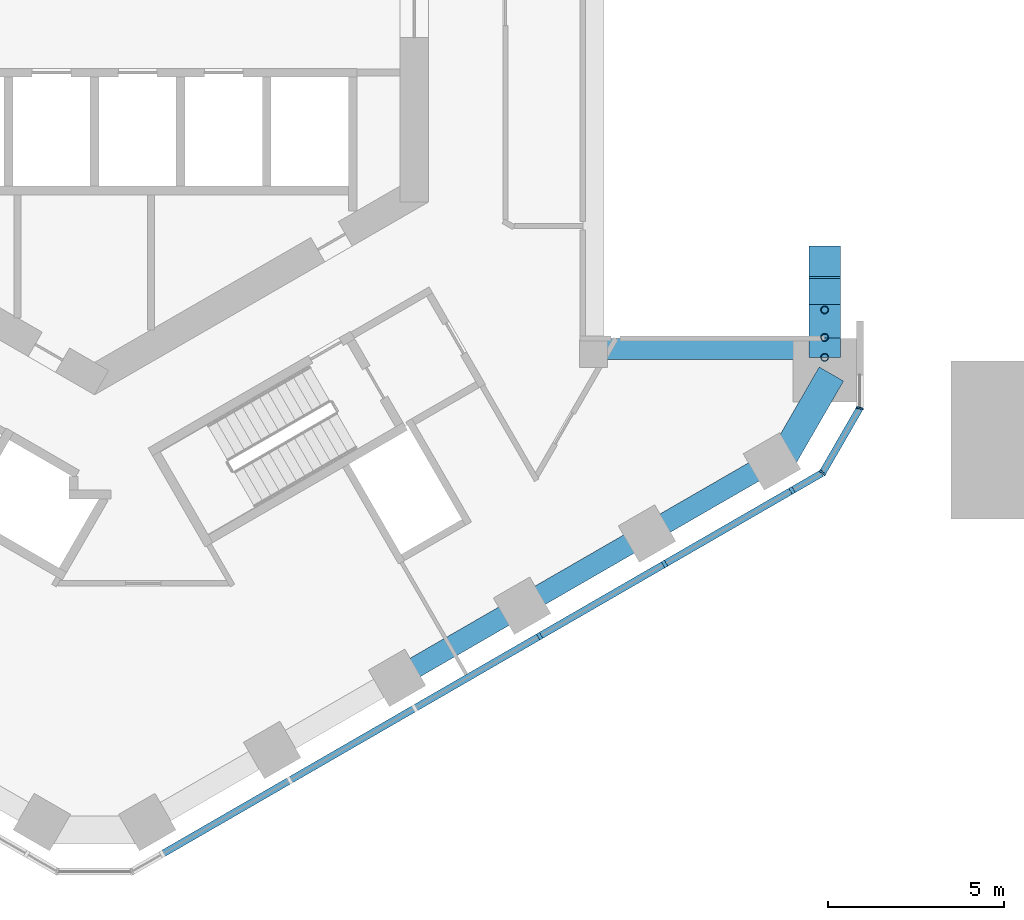
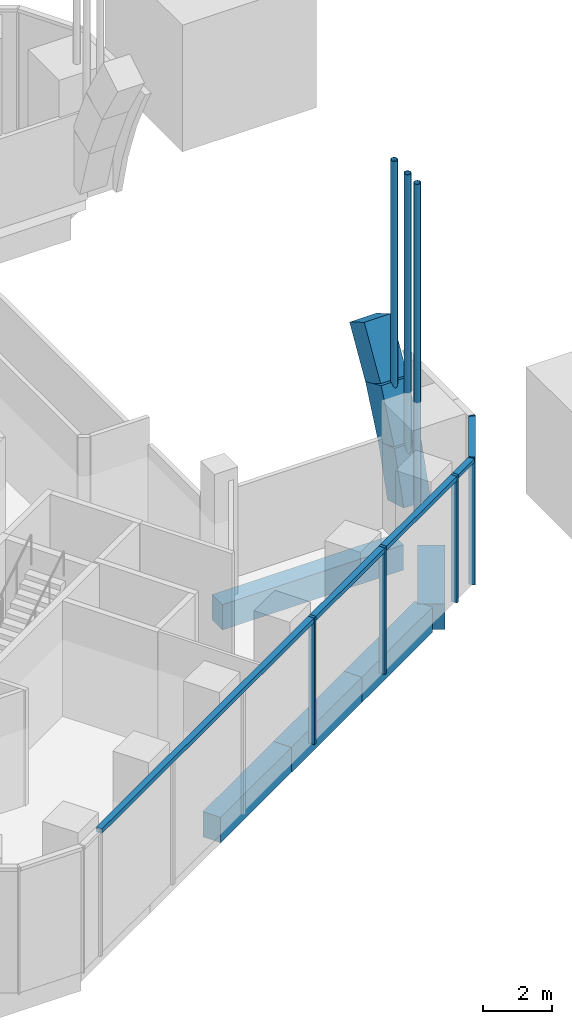
# One storey, part 4 of 14: 11 members, 8 beams, 2 elements without a shape of their own.
"""IFC4 building model written with IfcOpenShell, lengths in metres."""

from ifc_helpers import new_model, si_unit, direction, frame, origin, origin_2d, place, context, subcontext, project, spatial, rectangle, hollow_circle, extrude, material, layer, layer_set, material_profile, profile_set, type_object, element, aggregate, save


model = new_model("IFC4")

# Units and contexts
model_context = context("Model", 3, precision=1e-05, world=origin(), true_north=direction((0.0, 1.0)))
body_context = subcontext(model_context, "Body", "Model", "MODEL_VIEW")
ifc_project = project(units=[si_unit("LENGTHUNIT", "METRE"), si_unit("AREAUNIT", "SQUARE_METRE"), si_unit("VOLUMEUNIT", "CUBIC_METRE"), si_unit("PLANEANGLEUNIT", "RADIAN"), si_unit("MASSUNIT", "GRAM", prefix="KILO")], contexts=[model_context])

# Site, building, storey
site_placement = place(None, origin())
site = spatial("IfcSite", under=ifc_project, at=site_placement, CompositionType="ELEMENT")
building_placement = place(site_placement, origin())
building = spatial("IfcBuilding", under=site, at=building_placement, Name="Ayvan Gate Tower", CompositionType="ELEMENT")
storey_placement = place(building_placement, frame((0.0, 0.0, 7.0)))
storey = spatial("IfcBuildingStorey", under=building, at=storey_placement, Name="L01", CompositionType="ELEMENT", Elevation=7.0)

# Beams
ifc_material_1 = material(Name="Concrete C60/75", Category="concrete")
ifc_material_profile_1 = material_profile(ifc_material_1, rectangle(XDim=0.89990234375, YDim=1.0, at=origin_2d()), Name="RC 900x1000")
ifc_profile_set_1 = profile_set([ifc_material_profile_1], Name="Concrete C60/75")
beam_type_1 = type_object("IfcBeamType", Name="Arch rib RC 900x1000 C60/75", PredefinedType="BEAM", material=ifc_profile_set_1)
for number, where, z_axis, x_axis, name in (
    (1, (20.78466796875, -9.425048828125, 0.6962890625), (0.0, 0.293791434836, 0.955869548012), (-1.0, 0.0, 0.0), "AR-0-3"),
    (2, (20.78466796875, -8.877197265625, 2.478759765625), (0.0, 0.405360834835, 0.914156766415), (-1.0, 0.0, 0.0), "AR-0-4"),
    (3, (20.78466796875, -8.121337890625, 4.183349609375), (0.0, 0.511276682663, 0.859416170295), (-1.0, 0.0, 0.0), "AR-0-5"),
):
    element("IfcBeam", number, at=place(storey_placement, frame(where, z_axis=z_axis, x_axis=x_axis)), inside=storey, type_object=beam_type_1, Name=name, PredefinedType="BEAM", context=body_context, shape_type="SweptSolid", body=[
        extrude(rectangle(XDim=0.89990234375, YDim=1.0, at=origin_2d()), origin(), (0.0, 0.0, 1.0), 1.86474609375),
    ])

# Members
ifc_material_2 = material(Name="Steel S460NH", Category="steel")
ifc_material_profile_2 = material_profile(ifc_material_2, hollow_circle(Radius=0.109619140625, WallThickness=0.012451171875, at=origin_2d()), Name="CHS 219.1x12.5")
ifc_profile_set_2 = profile_set([ifc_material_profile_2], Name="Steel S460NH")
member_type_1 = type_object("IfcMemberType", Name="Arch rib hanger CHS 219.1x12.5", PredefinedType="STRUT", material=ifc_profile_set_2)
member_1_placement = place(storey_placement, frame((20.78466796875, -9.903076171875, 0.549560546875), z_axis=(0.0, 0.0, 1.0), x_axis=(1.0, 0.0, 0.0)))
element("IfcMember", 4, at=member_1_placement, inside=storey, type_object=member_type_1, Name="ARH-0-3", PredefinedType="STRUT", context=body_context, shape_type="SweptSolid", body=[
    extrude(hollow_circle(Radius=0.109619140625, WallThickness=0.012451171875, at=origin_2d()), origin(), (0.0, 0.0, 1.0), 11.700439453125),
])
member_2_placement = place(storey_placement, frame((20.78466796875, -9.33447265625, 2.276123046875), z_axis=(0.0, 0.0, 1.0), x_axis=(1.0, 0.0, 0.0)))
element("IfcMember", 5, at=member_2_placement, inside=storey, type_object=member_type_1, Name="ARH-0-4", PredefinedType="STRUT", context=body_context, shape_type="SweptSolid", body=[
    extrude(hollow_circle(Radius=0.109619140625, WallThickness=0.012451171875, at=origin_2d()), origin(), (0.0, 0.0, 1.0), 9.973876953125),
])
member_3_placement = place(storey_placement, frame((20.78466796875, -8.551025390625, 3.927734375), z_axis=(0.0, 0.0, 1.0), x_axis=(1.0, 0.0, 0.0)))
element("IfcMember", 6, at=member_3_placement, inside=storey, type_object=member_type_1, Name="ARH-0-5", PredefinedType="STRUT", context=body_context, shape_type="SweptSolid", body=[
    extrude(hollow_circle(Radius=0.109619140625, WallThickness=0.012451171875, at=origin_2d()), origin(), (0.0, 0.0, 1.0), 8.322265625),
])

# Beams
ifc_material_3 = material(Name="Concrete C40/50", Category="concrete")
ifc_material_profile_3 = material_profile(ifc_material_3, rectangle(XDim=0.800048828125, YDim=0.89990234375, at=origin_2d()), Name="RC 800x900")
ifc_profile_set_3 = profile_set([ifc_material_profile_3], Name="Concrete C40/50")
beam_type_2 = type_object("IfcBeamType", Name="Corner spandrel beam RC 800x900 C40/50", PredefinedType="BEAM", material=ifc_profile_set_3)
beam_1_placement = place(storey_placement, frame((19.47509765625, -12.97607421875, -0.85009765625), z_axis=(0.499990139034, 0.866031096941, 0.0), x_axis=(-0.866031096941, 0.499990139034, 0.0)))
element("IfcBeam", 7, at=beam_1_placement, inside=storey, type_object=beam_type_2, Name="SB-L01-36", PredefinedType="BEAM", context=body_context, shape_type="SweptSolid", body=[
    extrude(rectangle(XDim=0.800048828125, YDim=0.89990234375, at=origin_2d()), origin(), (0.0, 0.0, 1.0), 3.0),
])
ifc_material_profile_4 = material_profile(ifc_material_3, rectangle(XDim=0.60009765625, YDim=0.89990234375, at=origin_2d()), Name="RC 600x900")
ifc_profile_set_4 = profile_set([ifc_material_profile_4], Name="Concrete C40/50")
beam_type_3 = type_object("IfcBeamType", Name="Opening edge beam RC 600x900 C40/50", PredefinedType="BEAM", material=ifc_profile_set_4)
beam_2_placement = place(storey_placement, frame((20.28466796875, -9.66796875, -0.85009765625), z_axis=(-1.0, 0.0, 0.0), x_axis=(0.0, -1.0, 0.0)))
element("IfcBeam", 8, at=beam_2_placement, inside=storey, type_object=beam_type_3, Name="OB-L01-0-A", PredefinedType="BEAM", context=body_context, shape_type="SweptSolid", body=[
    extrude(rectangle(XDim=0.60009765625, YDim=0.89990234375, at=origin_2d()), origin(), (0.0, 0.0, 1.0), 6.084716796875),
])
ifc_material_profile_5 = material_profile(ifc_material_3, rectangle(XDim=0.60009765625, YDim=0.89990234375, at=origin_2d()), Name="RC 600x900")
ifc_profile_set_5 = profile_set([ifc_material_profile_5], Name="Concrete C40/50")
beam_type_4 = type_object("IfcBeamType", Name="Spandrel beam RC 600x900 C40/50", PredefinedType="BEAM", material=ifc_profile_set_5)
for number, where, z_axis, x_axis, name in (
    (9, (8.61376953125, -19.02685546875, -0.85009765625), (0.866010373586, 0.500026032164, 0.0), (-0.500026032164, 0.866010373586, 0.0), "SB-L01-33"),
    (10, (12.170654296875, -16.97314453125, -0.85009765625), (0.866050971923, 0.499955712069, 0.0), (-0.499955712069, 0.866050971923, 0.0), "SB-L01-34"),
    (11, (15.727783203125, -14.919677734375, -0.85009765625), (0.866010373586, 0.500026032164, 0.0), (-0.500026032164, 0.866010373586, 0.0), "SB-L01-35"),
):
    element("IfcBeam", number, at=place(storey_placement, frame(where, z_axis=z_axis, x_axis=x_axis)), inside=storey, type_object=beam_type_4, Name=name, PredefinedType="BEAM", context=body_context, shape_type="SweptSolid", body=[
        extrude(rectangle(XDim=0.60009765625, YDim=0.89990234375, at=origin_2d()), origin(), (0.0, 0.0, 1.0), 4.107177734375),
    ])

# Curtain wall, members
ifc_material_4 = material(Name="Bronze anodised aluminium", Category="aluminium")
ifc_layer_1 = layer(ifc_material_4, 0.199951171875)
ifc_layer_set_1 = layer_set([ifc_layer_1], Name="Bronze anodised aluminium")
curtain_wall_type_1 = type_object("IfcCurtainWallType", Name="Stick curtain wall CW-3", PredefinedType="NOTDEFINED", material=ifc_layer_set_1)
curtain_wall_1_placement = place(storey_placement, origin())
curtain_wall_1 = element("IfcCurtainWall", 12, at=curtain_wall_1_placement, inside=storey, type_object=curtain_wall_type_1, Name="Stick curtain wall CW-3 L01", PredefinedType="NOTDEFINED")
ifc_material_profile_6 = material_profile(ifc_material_4, rectangle(XDim=0.199951171875, YDim=0.10009765625, at=origin_2d()), Name="Stick curtain wall CW-3 mullion 200 x 100")
ifc_profile_set_6 = profile_set([ifc_material_profile_6], Name="Bronze anodised aluminium")
member_type_2 = type_object("IfcMemberType", Name="Stick curtain wall CW-3 mullion 200 x 100", PredefinedType="MULLION", material=ifc_profile_set_6)
member_4_placement = place(storey_placement, frame((12.670654296875, -17.83935546875, 0.0), z_axis=(0.0, 0.0, 1.0), x_axis=(0.5, -0.866025403784, 0.0)))
member_4 = element("IfcMember", 13, at=member_4_placement, type_object=member_type_2, Name="CW-3 mullion 4", PredefinedType="MULLION", context=body_context, shape_type="SweptSolid", body=[
    extrude(rectangle(XDim=0.199951171875, YDim=0.10009765625, at=origin_2d()), origin(), (0.0, 0.0, 1.0), 4.5),
])
member_5_placement = place(storey_placement, frame((16.227294921875, -15.785888671875, 0.0), z_axis=(0.0, 0.0, 1.0), x_axis=(0.5, -0.866025403784, 0.0)))
member_5 = element("IfcMember", 14, at=member_5_placement, type_object=member_type_2, Name="CW-3 mullion 5", PredefinedType="MULLION", context=body_context, shape_type="SweptSolid", body=[
    extrude(rectangle(XDim=0.199951171875, YDim=0.10009765625, at=origin_2d()), origin(), (0.0, 0.0, 1.0), 4.5),
])
member_6_placement = place(storey_placement, frame((19.855224609375, -13.691162109375, 0.0), z_axis=(0.0, 0.0, 1.0), x_axis=(0.5, -0.866025403784, 0.0)))
member_6 = element("IfcMember", 15, at=member_6_placement, type_object=member_type_2, Name="CW-3 mullion 6", PredefinedType="MULLION", context=body_context, shape_type="SweptSolid", body=[
    extrude(rectangle(XDim=0.199951171875, YDim=0.10009765625, at=origin_2d()), origin(), (0.0, 0.0, 1.0), 4.5),
])
ifc_material_profile_7 = material_profile(ifc_material_4, rectangle(XDim=0.199951171875, YDim=0.159912109375, at=origin_2d()), Name="Stick curtain wall CW-3 transom 200 x 160")
ifc_profile_set_7 = profile_set([ifc_material_profile_7], Name="Bronze anodised aluminium")
member_type_3 = type_object("IfcMemberType", Name="Stick curtain wall CW-3 transom 200 x 160", PredefinedType="USERDEFINED", material=ifc_profile_set_7)
member_7_placement = place(storey_placement, frame((1.92919921875, -24.040771484375, 4.419921875), z_axis=(0.866025115303, 0.500000499665, 0.0), x_axis=(-0.500000499665, 0.866025115303, 0.0)))
member_7 = element("IfcMember", 16, at=member_7_placement, type_object=member_type_3, Name="CW-3 transom 1", ObjectType="TRANSOM", PredefinedType="USERDEFINED", context=body_context, shape_type="SweptSolid", body=[
    extrude(rectangle(XDim=0.199951171875, YDim=0.159912109375, at=origin_2d()), origin(), (0.0, 0.0, 1.0), 20.69921875),
])
aggregate(curtain_wall_1, [member_4, member_5, member_6, member_7])

ifc_layer_2 = layer(ifc_material_4, 0.199951171875)
ifc_layer_set_2 = layer_set([ifc_layer_2], Name="Bronze anodised aluminium")
curtain_wall_type_2 = type_object("IfcCurtainWallType", Name="Stick curtain wall CW-6", PredefinedType="NOTDEFINED", material=ifc_layer_set_2)
curtain_wall_2_placement = place(storey_placement, origin())
curtain_wall_2 = element("IfcCurtainWall", 17, at=curtain_wall_2_placement, inside=storey, type_object=curtain_wall_type_2, Name="Stick curtain wall CW-6 L01", PredefinedType="NOTDEFINED")
ifc_material_profile_8 = material_profile(ifc_material_4, rectangle(XDim=0.199951171875, YDim=0.050048828125, at=origin_2d()), Name="Stick curtain wall CW-6 mullion 200 x 50")
ifc_profile_set_8 = profile_set([ifc_material_profile_8], Name="Bronze anodised aluminium")
member_type_4 = type_object("IfcMemberType", Name="Stick curtain wall CW-6 mullion 200 x 50", PredefinedType="MULLION", material=ifc_profile_set_8)
member_8_placement = place(storey_placement, frame((20.721435546875, -13.191162109375, 0.0), z_axis=(0.0, 0.0, 1.0), x_axis=(0.707106781187, -0.707106781187, 0.0)))
member_8 = element("IfcMember", 18, at=member_8_placement, type_object=member_type_4, Name="CW-6 mullion 2", PredefinedType="MULLION", context=body_context, shape_type="SweptSolid", body=[
    extrude(rectangle(XDim=0.199951171875, YDim=0.050048828125, at=origin_2d()), origin(), (0.0, 0.0, 1.0), 4.5),
])
member_9_placement = place(storey_placement, frame((21.78466796875, -11.349609375, 0.0), z_axis=(0.0, 0.0, 1.0), x_axis=(0.965925826289, -0.258819045103, 0.0)))
member_9 = element("IfcMember", 19, at=member_9_placement, type_object=member_type_4, Name="CW-6 mullion 3", PredefinedType="MULLION", context=body_context, shape_type="SweptSolid", body=[
    extrude(rectangle(XDim=0.199951171875, YDim=0.050048828125, at=origin_2d()), origin(), (0.0, 0.0, 1.0), 4.5),
])
ifc_material_profile_9 = material_profile(ifc_material_4, rectangle(XDim=0.199951171875, YDim=0.1201171875, at=origin_2d()), Name="Stick curtain wall CW-6 transom 200 x 120")
ifc_profile_set_9 = profile_set([ifc_material_profile_9], Name="Bronze anodised aluminium")
member_type_5 = type_object("IfcMemberType", Name="Stick curtain wall CW-6 transom 200 x 120", PredefinedType="USERDEFINED", material=ifc_profile_set_9)
member_10_placement = place(storey_placement, frame((19.898681640625, -13.666259765625, 4.43994140625), z_axis=(0.865943820382, 0.500141279983, 0.0), x_axis=(-0.500141279983, 0.865943820382, 0.0)))
member_10 = element("IfcMember", 20, at=member_10_placement, type_object=member_type_5, Name="CW-6 transom 1", ObjectType="TRANSOM", PredefinedType="USERDEFINED", context=body_context, shape_type="SweptSolid", body=[
    extrude(rectangle(XDim=0.199951171875, YDim=0.1201171875, at=origin_2d()), origin(), (0.0, 0.0, 1.0), 0.925048828125),
])
member_11_placement = place(storey_placement, frame((20.73388671875, -13.169677734375, 4.43994140625), z_axis=(0.500020978615, 0.866013291437, 0.0), x_axis=(-0.866013291437, 0.500020978615, 0.0)))
member_11 = element("IfcMember", 21, at=member_11_placement, type_object=member_type_5, Name="CW-6 transom 2", ObjectType="TRANSOM", PredefinedType="USERDEFINED", context=body_context, shape_type="SweptSolid", body=[
    extrude(rectangle(XDim=0.199951171875, YDim=0.1201171875, at=origin_2d()), origin(), (0.0, 0.0, 1.0), 2.07666015625),
])
aggregate(curtain_wall_2, [member_8, member_9, member_10, member_11])

save(model, "model.ifc")
